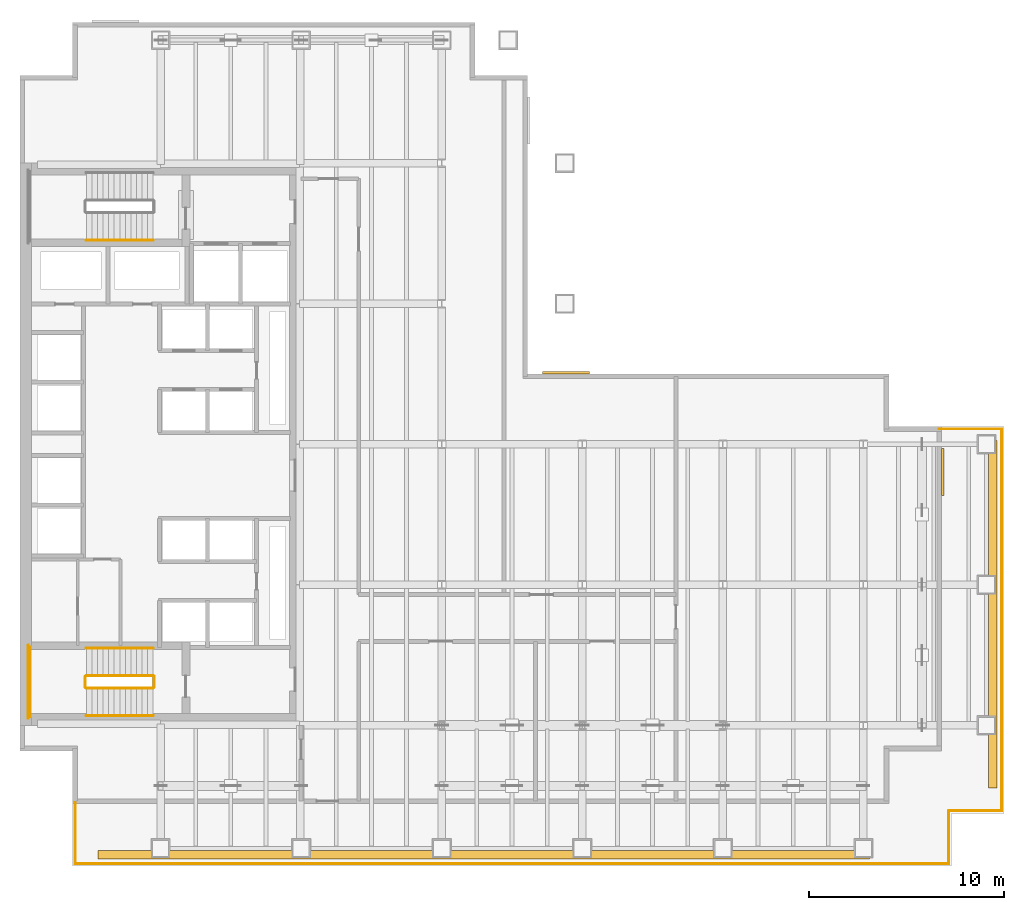
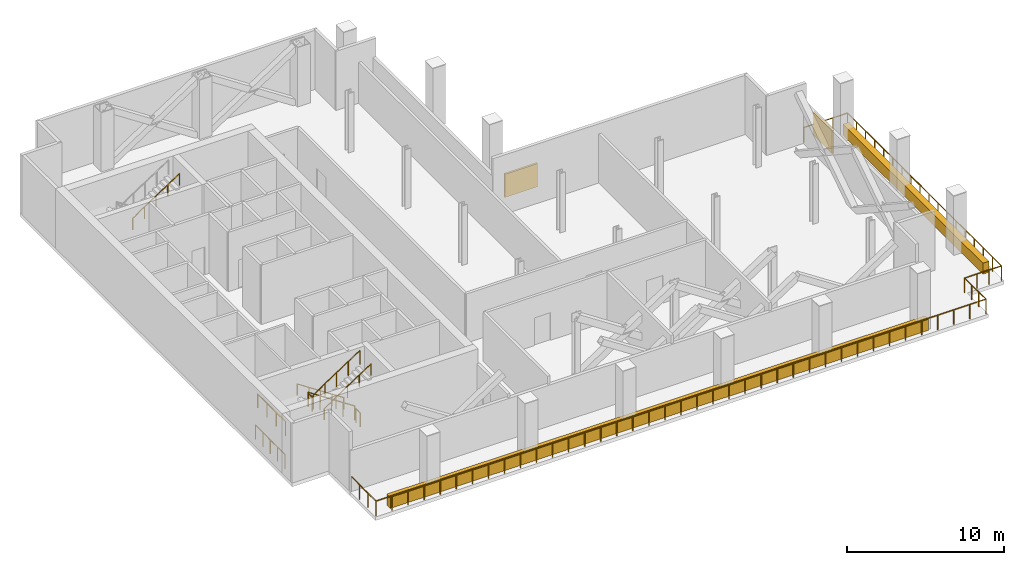
# One storey, part 8 of 9: 15 railings, 2 coverings, 2 shading devices.
"""IFC4 building model written with IfcOpenShell, lengths in metres."""

from ifc_helpers import new_model, si_unit, direction, frame, origin, origin_2d, place, context, subcontext, project, spatial, polyline, circle, outline, extrude, material, layer, layer_set, type_object, element, save


model = new_model("IFC4")

# Units and contexts
model_context = context("Model", 3, precision=1e-05, world=origin(), true_north=direction((0.0, 1.0)))
body_context = subcontext(model_context, "Body", "Model", "MODEL_VIEW")
ifc_project = project(units=[si_unit("LENGTHUNIT", "METRE"), si_unit("AREAUNIT", "SQUARE_METRE"), si_unit("VOLUMEUNIT", "CUBIC_METRE"), si_unit("PLANEANGLEUNIT", "RADIAN"), si_unit("MASSUNIT", "GRAM", prefix="KILO")], contexts=[model_context])

# Site, building, storey
site_placement = place(None, origin())
site = spatial("IfcSite", under=ifc_project, at=site_placement, CompositionType="ELEMENT")
building_placement = place(site_placement, origin())
building = spatial("IfcBuilding", under=site, at=building_placement, Name="Cobrela Telecom Tower", CompositionType="ELEMENT")
storey_placement = place(building_placement, frame((0.0, 0.0, 92.75)))
storey = spatial("IfcBuildingStorey", under=building, at=storey_placement, Name="L23", CompositionType="ELEMENT", Elevation=92.75)

# Coverings
ifc_material_1 = material(Name="Planted Vegetated Landscape Soil and Foliage System")
ifc_layer_1 = layer(ifc_material_1, 0.85009765625)
ifc_layer_set_1 = layer_set([ifc_layer_1], Name="Planted Vegetated Landscape Soil and Foliage System")
covering_type = type_object("IfcCoveringType", Name="PLANTER-BED-850", PredefinedType="USERDEFINED", material=ifc_layer_set_1)
covering_1_placement = place(storey_placement, origin())
element("IfcCovering", 1, at=covering_1_placement, inside=storey, type_object=covering_type, Name="L23 Sky Garden Planted Parapet Bed SG23-S", ObjectType="PLANTER", PredefinedType="USERDEFINED", context=body_context, shape_type="SweptSolid", body=[
    extrude(outline(polyline([(4.0, 0.35009765625), (43.5, 0.35009765625), (43.5, 0.800048828125), (4.0, 0.800048828125), (4.0, 0.35009765625)])), origin(), (0.0, 0.0, 1.0), 0.85009765625),
])
covering_2_placement = place(storey_placement, origin())
element("IfcCovering", 2, at=covering_2_placement, inside=storey, type_object=covering_type, Name="L23 Sky Garden Planted Parapet Bed SG23-E", ObjectType="PLANTER", PredefinedType="USERDEFINED", context=body_context, shape_type="SweptSolid", body=[
    extrude(outline(polyline([(49.60009765625, 4.0), (50.050048828125, 4.0), (50.050048828125, 21.800048828125), (49.60009765625, 21.800048828125), (49.60009765625, 4.0)])), origin(), (0.0, 0.0, 1.0), 0.85009765625),
])

# Railings
ifc_material_2 = material(Name="Anodized Bronze Aluminium 6063-T6", Category="aluminium")
railing_type_1 = type_object("IfcRailingType", Name="RAIL-BAL-1150", PredefinedType="BALUSTRADE", material=ifc_material_2)
railing_1_placement = place(storey_placement, frame((2.820068359375, 3.25, 0.0)))
element("IfcRailing", 3, at=railing_1_placement, inside=storey, type_object=railing_type_1, Name="L23 Outdoor Terrace Perimeter Balustrade SG23-W", PredefinedType="BALUSTRADE", context=body_context, shape_type="SweptSolid", body=[
    extrude(circle(Radius=0.02392578125, at=origin_2d()), frame((0.0, 0.0, 1.1259765625), z_axis=(0.0, -1.0, 0.0), x_axis=(1.0, 0.0, 0.0)), (0.0, 0.0, 1.0), 3.1298828125),
    extrude(circle(Radius=0.02099609375, at=origin_2d()), origin(), (0.0, 0.0, 1.0), 1.101806640625),
    extrude(circle(Radius=0.02099609375, at=origin_2d()), frame((0.0, -1.043212890625, 0.0)), (0.0, 0.0, 1.0), 1.101806640625),
    extrude(circle(Radius=0.02099609375, at=origin_2d()), frame((0.0, -2.086669921875, 0.0)), (0.0, 0.0, 1.0), 1.101806640625),
    extrude(circle(Radius=0.02099609375, at=origin_2d()), frame((0.0, -3.1298828125, 0.0)), (0.0, 0.0, 1.0), 1.101806640625),
])
railing_2_placement = place(storey_placement, frame((2.820068359375, 0.1201171875, 0.0)))
element("IfcRailing", 4, at=railing_2_placement, inside=storey, type_object=railing_type_1, Name="L23 Outdoor Terrace Perimeter Balustrade SG23-S1", PredefinedType="BALUSTRADE", context=body_context, shape_type="SweptSolid", body=[
    extrude(circle(Radius=0.02392578125, at=origin_2d()), frame((0.0, 0.0, 1.1259765625), z_axis=(1.0, 0.0, 0.0), x_axis=(0.0, 1.0, 0.0)), (0.0, 0.0, 1.0), 44.760009765625),
    extrude(circle(Radius=0.02099609375, at=origin_2d()), origin(), (0.0, 0.0, 1.0), 1.101806640625),
    extrude(circle(Radius=0.02099609375, at=origin_2d()), frame((1.177978515625, 0.0, 0.0)), (0.0, 0.0, 1.0), 1.101806640625),
    extrude(circle(Radius=0.02099609375, at=origin_2d()), frame((2.355712890625, 0.0, 0.0)), (0.0, 0.0, 1.0), 1.101806640625),
    extrude(circle(Radius=0.02099609375, at=origin_2d()), frame((3.53369140625, 0.0, 0.0)), (0.0, 0.0, 1.0), 1.101806640625),
    extrude(circle(Radius=0.02099609375, at=origin_2d()), frame((4.711669921875, 0.0, 0.0)), (0.0, 0.0, 1.0), 1.101806640625),
    extrude(circle(Radius=0.02099609375, at=origin_2d()), frame((5.889404296875, 0.0, 0.0)), (0.0, 0.0, 1.0), 1.101806640625),
    extrude(circle(Radius=0.02099609375, at=origin_2d()), frame((7.0673828125, 0.0, 0.0)), (0.0, 0.0, 1.0), 1.101806640625),
    extrude(circle(Radius=0.02099609375, at=origin_2d()), frame((8.245361328125, 0.0, 0.0)), (0.0, 0.0, 1.0), 1.101806640625),
    extrude(circle(Radius=0.02099609375, at=origin_2d()), frame((9.423095703125, 0.0, 0.0)), (0.0, 0.0, 1.0), 1.101806640625),
    extrude(circle(Radius=0.02099609375, at=origin_2d()), frame((10.60107421875, 0.0, 0.0)), (0.0, 0.0, 1.0), 1.101806640625),
    extrude(circle(Radius=0.02099609375, at=origin_2d()), frame((11.779052734375, 0.0, 0.0)), (0.0, 0.0, 1.0), 1.101806640625),
    extrude(circle(Radius=0.02099609375, at=origin_2d()), frame((12.956787109375, 0.0, 0.0)), (0.0, 0.0, 1.0), 1.101806640625),
    extrude(circle(Radius=0.02099609375, at=origin_2d()), frame((14.134765625, 0.0, 0.0)), (0.0, 0.0, 1.0), 1.101806640625),
    extrude(circle(Radius=0.02099609375, at=origin_2d()), frame((15.312744140625, 0.0, 0.0)), (0.0, 0.0, 1.0), 1.101806640625),
    extrude(circle(Radius=0.02099609375, at=origin_2d()), frame((16.490478515625, 0.0, 0.0)), (0.0, 0.0, 1.0), 1.101806640625),
    extrude(circle(Radius=0.02099609375, at=origin_2d()), frame((17.66845703125, 0.0, 0.0)), (0.0, 0.0, 1.0), 1.101806640625),
    extrude(circle(Radius=0.02099609375, at=origin_2d()), frame((18.846435546875, 0.0, 0.0)), (0.0, 0.0, 1.0), 1.101806640625),
    extrude(circle(Radius=0.02099609375, at=origin_2d()), frame((20.024169921875, 0.0, 0.0)), (0.0, 0.0, 1.0), 1.101806640625),
    extrude(circle(Radius=0.02099609375, at=origin_2d()), frame((21.2021484375, 0.0, 0.0)), (0.0, 0.0, 1.0), 1.101806640625),
    extrude(circle(Radius=0.02099609375, at=origin_2d()), frame((22.3798828125, 0.0, 0.0)), (0.0, 0.0, 1.0), 1.101806640625),
    extrude(circle(Radius=0.02099609375, at=origin_2d()), frame((23.557861328125, 0.0, 0.0)), (0.0, 0.0, 1.0), 1.101806640625),
    extrude(circle(Radius=0.02099609375, at=origin_2d()), frame((24.73583984375, 0.0, 0.0)), (0.0, 0.0, 1.0), 1.101806640625),
    extrude(circle(Radius=0.02099609375, at=origin_2d()), frame((25.91357421875, 0.0, 0.0)), (0.0, 0.0, 1.0), 1.101806640625),
    extrude(circle(Radius=0.02099609375, at=origin_2d()), frame((27.091552734375, 0.0, 0.0)), (0.0, 0.0, 1.0), 1.101806640625),
    extrude(circle(Radius=0.02099609375, at=origin_2d()), frame((28.26953125, 0.0, 0.0)), (0.0, 0.0, 1.0), 1.101806640625),
    extrude(circle(Radius=0.02099609375, at=origin_2d()), frame((29.447265625, 0.0, 0.0)), (0.0, 0.0, 1.0), 1.101806640625),
    extrude(circle(Radius=0.02099609375, at=origin_2d()), frame((30.625244140625, 0.0, 0.0)), (0.0, 0.0, 1.0), 1.101806640625),
    extrude(circle(Radius=0.02099609375, at=origin_2d()), frame((31.80322265625, 0.0, 0.0)), (0.0, 0.0, 1.0), 1.101806640625),
    extrude(circle(Radius=0.02099609375, at=origin_2d()), frame((32.98095703125, 0.0, 0.0)), (0.0, 0.0, 1.0), 1.101806640625),
    extrude(circle(Radius=0.02099609375, at=origin_2d()), frame((34.158935546875, 0.0, 0.0)), (0.0, 0.0, 1.0), 1.101806640625),
    extrude(circle(Radius=0.02099609375, at=origin_2d()), frame((35.3369140625, 0.0, 0.0)), (0.0, 0.0, 1.0), 1.101806640625),
    extrude(circle(Radius=0.02099609375, at=origin_2d()), frame((36.5146484375, 0.0, 0.0)), (0.0, 0.0, 1.0), 1.101806640625),
    extrude(circle(Radius=0.02099609375, at=origin_2d()), frame((37.692626953125, 0.0, 0.0)), (0.0, 0.0, 1.0), 1.101806640625),
    extrude(circle(Radius=0.02099609375, at=origin_2d()), frame((38.87060546875, 0.0, 0.0)), (0.0, 0.0, 1.0), 1.101806640625),
    extrude(circle(Radius=0.02099609375, at=origin_2d()), frame((40.04833984375, 0.0, 0.0)), (0.0, 0.0, 1.0), 1.101806640625),
    extrude(circle(Radius=0.02099609375, at=origin_2d()), frame((41.226318359375, 0.0, 0.0)), (0.0, 0.0, 1.0), 1.101806640625),
    extrude(circle(Radius=0.02099609375, at=origin_2d()), frame((42.404296875, 0.0, 0.0)), (0.0, 0.0, 1.0), 1.101806640625),
    extrude(circle(Radius=0.02099609375, at=origin_2d()), frame((43.58203125, 0.0, 0.0)), (0.0, 0.0, 1.0), 1.101806640625),
    extrude(circle(Radius=0.02099609375, at=origin_2d()), frame((44.760009765625, 0.0, 0.0)), (0.0, 0.0, 1.0), 1.101806640625),
])
railing_3_placement = place(storey_placement, frame((47.580078125, 0.1201171875, 0.0)))
element("IfcRailing", 5, at=railing_3_placement, inside=storey, type_object=railing_type_1, Name="L23 Outdoor Terrace Perimeter Balustrade SG23-S2", PredefinedType="BALUSTRADE", context=body_context, shape_type="SweptSolid", body=[
    extrude(circle(Radius=0.02392578125, at=origin_2d()), frame((0.0, 0.0, 1.1259765625), z_axis=(0.0, 1.0, 0.0), x_axis=(-1.0, 0.0, 0.0)), (0.0, 0.0, 1.0), 2.699951171875),
    extrude(circle(Radius=0.02099609375, at=origin_2d()), origin(), (0.0, 0.0, 1.0), 1.101806640625),
    extrude(circle(Radius=0.02099609375, at=origin_2d()), frame((0.0, 0.89990234375, 0.0)), (0.0, 0.0, 1.0), 1.101806640625),
    extrude(circle(Radius=0.02099609375, at=origin_2d()), frame((0.0, 1.800048828125, 0.0)), (0.0, 0.0, 1.0), 1.101806640625),
    extrude(circle(Radius=0.02099609375, at=origin_2d()), frame((0.0, 2.699951171875, 0.0)), (0.0, 0.0, 1.0), 1.101806640625),
])
railing_4_placement = place(storey_placement, frame((47.580078125, 2.820068359375, 0.0)))
element("IfcRailing", 6, at=railing_4_placement, inside=storey, type_object=railing_type_1, Name="L23 Outdoor Terrace Perimeter Balustrade SG23-S3", PredefinedType="BALUSTRADE", context=body_context, shape_type="SweptSolid", body=[
    extrude(circle(Radius=0.02392578125, at=origin_2d()), frame((0.0, 0.0, 1.1259765625), z_axis=(1.0, 0.0, 0.0), x_axis=(0.0, 1.0, 0.0)), (0.0, 0.0, 1.0), 2.699951171875),
    extrude(circle(Radius=0.02099609375, at=origin_2d()), origin(), (0.0, 0.0, 1.0), 1.101806640625),
    extrude(circle(Radius=0.02099609375, at=origin_2d()), frame((0.89990234375, 0.0, 0.0)), (0.0, 0.0, 1.0), 1.101806640625),
    extrude(circle(Radius=0.02099609375, at=origin_2d()), frame((1.800048828125, 0.0, 0.0)), (0.0, 0.0, 1.0), 1.101806640625),
    extrude(circle(Radius=0.02099609375, at=origin_2d()), frame((2.699951171875, 0.0, 0.0)), (0.0, 0.0, 1.0), 1.101806640625),
])
railing_5_placement = place(storey_placement, frame((50.280029296875, 2.820068359375, 0.0)))
element("IfcRailing", 7, at=railing_5_placement, inside=storey, type_object=railing_type_1, Name="L23 Outdoor Terrace Perimeter Balustrade SG23-E", PredefinedType="BALUSTRADE", context=body_context, shape_type="SweptSolid", body=[
    extrude(circle(Radius=0.02392578125, at=origin_2d()), frame((0.0, 0.0, 1.1259765625), z_axis=(0.0, 1.0, 0.0), x_axis=(-1.0, 0.0, 0.0)), (0.0, 0.0, 1.0), 19.559814453125),
    extrude(circle(Radius=0.02099609375, at=origin_2d()), origin(), (0.0, 0.0, 1.0), 1.101806640625),
    extrude(circle(Radius=0.02099609375, at=origin_2d()), frame((0.0, 1.150634765625, 0.0)), (0.0, 0.0, 1.0), 1.101806640625),
    extrude(circle(Radius=0.02099609375, at=origin_2d()), frame((0.0, 2.30126953125, 0.0)), (0.0, 0.0, 1.0), 1.101806640625),
    extrude(circle(Radius=0.02099609375, at=origin_2d()), frame((0.0, 3.45166015625, 0.0)), (0.0, 0.0, 1.0), 1.101806640625),
    extrude(circle(Radius=0.02099609375, at=origin_2d()), frame((0.0, 4.602294921875, 0.0)), (0.0, 0.0, 1.0), 1.101806640625),
    extrude(circle(Radius=0.02099609375, at=origin_2d()), frame((0.0, 5.7529296875, 0.0)), (0.0, 0.0, 1.0), 1.101806640625),
    extrude(circle(Radius=0.02099609375, at=origin_2d()), frame((0.0, 6.903564453125, 0.0)), (0.0, 0.0, 1.0), 1.101806640625),
    extrude(circle(Radius=0.02099609375, at=origin_2d()), frame((0.0, 8.053955078125, 0.0)), (0.0, 0.0, 1.0), 1.101806640625),
    extrude(circle(Radius=0.02099609375, at=origin_2d()), frame((0.0, 9.20458984375, 0.0)), (0.0, 0.0, 1.0), 1.101806640625),
    extrude(circle(Radius=0.02099609375, at=origin_2d()), frame((0.0, 10.355224609375, 0.0)), (0.0, 0.0, 1.0), 1.101806640625),
    extrude(circle(Radius=0.02099609375, at=origin_2d()), frame((0.0, 11.505859375, 0.0)), (0.0, 0.0, 1.0), 1.101806640625),
    extrude(circle(Radius=0.02099609375, at=origin_2d()), frame((0.0, 12.65625, 0.0)), (0.0, 0.0, 1.0), 1.101806640625),
    extrude(circle(Radius=0.02099609375, at=origin_2d()), frame((0.0, 13.806884765625, 0.0)), (0.0, 0.0, 1.0), 1.101806640625),
    extrude(circle(Radius=0.02099609375, at=origin_2d()), frame((0.0, 14.95751953125, 0.0)), (0.0, 0.0, 1.0), 1.101806640625),
    extrude(circle(Radius=0.02099609375, at=origin_2d()), frame((0.0, 16.108154296875, 0.0)), (0.0, 0.0, 1.0), 1.101806640625),
    extrude(circle(Radius=0.02099609375, at=origin_2d()), frame((0.0, 17.258544921875, 0.0)), (0.0, 0.0, 1.0), 1.101806640625),
    extrude(circle(Radius=0.02099609375, at=origin_2d()), frame((0.0, 18.4091796875, 0.0)), (0.0, 0.0, 1.0), 1.101806640625),
    extrude(circle(Radius=0.02099609375, at=origin_2d()), frame((0.0, 19.559814453125, 0.0)), (0.0, 0.0, 1.0), 1.101806640625),
])
railing_6_placement = place(storey_placement, frame((50.280029296875, 22.3798828125, 0.0)))
element("IfcRailing", 8, at=railing_6_placement, inside=storey, type_object=railing_type_1, Name="L23 Outdoor Terrace Perimeter Balustrade SG23-N", PredefinedType="BALUSTRADE", context=body_context, shape_type="SweptSolid", body=[
    extrude(circle(Radius=0.02392578125, at=origin_2d()), frame((0.0, 0.0, 1.1259765625), z_axis=(-1.0, 0.0, 0.0), x_axis=(0.0, -1.0, 0.0)), (0.0, 0.0, 1.0), 3.199951171875),
    extrude(circle(Radius=0.02099609375, at=origin_2d()), origin(), (0.0, 0.0, 1.0), 1.101806640625),
    extrude(circle(Radius=0.02099609375, at=origin_2d()), frame((-1.066650390625, 0.0, 0.0)), (0.0, 0.0, 1.0), 1.101806640625),
    extrude(circle(Radius=0.02099609375, at=origin_2d()), frame((-2.13330078125, 0.0, 0.0)), (0.0, 0.0, 1.0), 1.101806640625),
    extrude(circle(Radius=0.02099609375, at=origin_2d()), frame((-3.199951171875, 0.0, 0.0)), (0.0, 0.0, 1.0), 1.101806640625),
])
ifc_material_3 = material(Name="Steel ASTM A36", Category="steel")
railing_type_2 = type_object("IfcRailingType", Name="RAIL-GUARD-1100", PredefinedType="GUARDRAIL", material=ifc_material_3)
railing_7_placement = place(storey_placement, frame((6.820068359375, 9.75, 0.1884765625)))
element("IfcRailing", 9, at=railing_7_placement, inside=storey, type_object=railing_type_2, Name="L23 ST2 stair guard 1", PredefinedType="GUARDRAIL", context=body_context, shape_type="SweptSolid", body=[
    extrude(circle(Radius=0.02392578125, at=origin_2d()), frame((0.0, 0.0, 1.076171875), z_axis=(-0.83414210066, 0.0, 0.551549595147), x_axis=(0.0, -1.0, 0.0)), (0.0, 0.0, 1.0), 4.100341796875),
    extrude(circle(Radius=0.02099609375, at=origin_2d()), origin(), (0.0, 0.0, 1.0), 1.052001953125),
    extrude(circle(Radius=0.02099609375, at=origin_2d()), frame((-0.85498046875, 0.0, 0.5654296875)), (0.0, 0.0, 1.0), 1.052001953125),
    extrude(circle(Radius=0.02099609375, at=origin_2d()), frame((-1.7099609375, 0.0, 1.130859375)), (0.0, 0.0, 1.0), 1.052001953125),
    extrude(circle(Radius=0.02099609375, at=origin_2d()), frame((-2.565185546875, 0.0, 1.696044921875)), (0.0, 0.0, 1.0), 1.052001953125),
    extrude(circle(Radius=0.02099609375, at=origin_2d()), frame((-3.420166015625, 0.0, 2.261474609375)), (0.0, 0.0, 1.0), 1.052001953125),
])
railing_8_placement = place(storey_placement, frame((3.35009765625, 9.699951171875, 2.449951171875)))
element("IfcRailing", 10, at=railing_8_placement, inside=storey, type_object=railing_type_2, Name="L23 ST2 stair guard 2", PredefinedType="GUARDRAIL", context=body_context, shape_type="SweptSolid", body=[
    extrude(circle(Radius=0.02392578125, at=origin_2d()), frame((0.0, 0.0, 1.076171875), z_axis=(0.0, -1.0, 0.0), x_axis=(1.0, 0.0, 0.0)), (0.0, 0.0, 1.0), 0.550048828125),
    extrude(circle(Radius=0.02099609375, at=origin_2d()), origin(), (0.0, 0.0, 1.0), 1.052001953125),
    extrude(circle(Radius=0.02099609375, at=origin_2d()), frame((0.0, -0.550048828125, 0.0)), (0.0, 0.0, 1.0), 1.052001953125),
])
railing_9_placement = place(storey_placement, frame((0.530029296875, 11.199951171875, 2.449951171875)))
element("IfcRailing", 11, at=railing_9_placement, inside=storey, type_object=railing_type_2, Name="L23 ST2 stair guard 3", PredefinedType="GUARDRAIL", context=body_context, shape_type="SweptSolid", body=[
    extrude(circle(Radius=0.02392578125, at=origin_2d()), frame((0.0, 0.0, 1.076171875), z_axis=(0.0, -1.0, 0.0), x_axis=(1.0, 0.0, 0.0)), (0.0, 0.0, 1.0), 3.550048828125),
    extrude(circle(Radius=0.02099609375, at=origin_2d()), origin(), (0.0, 0.0, 1.0), 1.052001953125),
    extrude(circle(Radius=0.02099609375, at=origin_2d()), frame((0.0, -1.183349609375, 0.0)), (0.0, 0.0, 1.0), 1.052001953125),
    extrude(circle(Radius=0.02099609375, at=origin_2d()), frame((0.0, -2.36669921875, 0.0)), (0.0, 0.0, 1.0), 1.052001953125),
    extrude(circle(Radius=0.02099609375, at=origin_2d()), frame((0.0, -3.550048828125, 0.0)), (0.0, 0.0, 1.0), 1.052001953125),
])
railing_10_placement = place(storey_placement, frame((3.39990234375, 9.10009765625, 2.638427734375)))
element("IfcRailing", 12, at=railing_10_placement, inside=storey, type_object=railing_type_2, Name="L23 ST2 stair guard 4", PredefinedType="GUARDRAIL", context=body_context, shape_type="SweptSolid", body=[
    extrude(circle(Radius=0.02392578125, at=origin_2d()), frame((0.0, 0.0, 1.076171875), z_axis=(0.83414210066, 0.0, 0.551549595147), x_axis=(0.0, 1.0, 0.0)), (0.0, 0.0, 1.0), 4.100341796875),
    extrude(circle(Radius=0.02099609375, at=origin_2d()), origin(), (0.0, 0.0, 1.0), 1.052001953125),
    extrude(circle(Radius=0.02099609375, at=origin_2d()), frame((0.85498046875, 0.0, 0.5654296875)), (0.0, 0.0, 1.0), 1.052001953125),
    extrude(circle(Radius=0.02099609375, at=origin_2d()), frame((1.7099609375, 0.0, 1.130859375)), (0.0, 0.0, 1.0), 1.052001953125),
    extrude(circle(Radius=0.02099609375, at=origin_2d()), frame((2.565185546875, 0.0, 1.696044921875)), (0.0, 0.0, 1.0), 1.052001953125),
    extrude(circle(Radius=0.02099609375, at=origin_2d()), frame((3.420166015625, 0.0, 2.261474609375)), (0.0, 0.0, 1.0), 1.052001953125),
])
railing_11_placement = place(storey_placement, frame((6.8701171875, 9.699951171875, 0.0)))
element("IfcRailing", 13, at=railing_11_placement, inside=storey, type_object=railing_type_2, Name="L23 ST2 stair guard 5", PredefinedType="GUARDRAIL", context=body_context, shape_type="SweptSolid", body=[
    extrude(circle(Radius=0.02392578125, at=origin_2d()), frame((0.0, 0.0, 1.076171875), z_axis=(0.0, -1.0, 0.0), x_axis=(1.0, 0.0, 0.0)), (0.0, 0.0, 1.0), 0.550048828125),
    extrude(circle(Radius=0.02099609375, at=origin_2d()), origin(), (0.0, 0.0, 1.0), 1.052001953125),
    extrude(circle(Radius=0.02099609375, at=origin_2d()), frame((0.0, -0.550048828125, 0.0)), (0.0, 0.0, 1.0), 1.052001953125),
])
railing_12_placement = place(storey_placement, frame((0.429931640625, 11.300048828125, 0.0)))
element("IfcRailing", 14, at=railing_12_placement, inside=storey, type_object=railing_type_2, Name="L23 ST2 stair guard 6", PredefinedType="GUARDRAIL", context=body_context, shape_type="SweptSolid", body=[
    extrude(circle(Radius=0.02392578125, at=origin_2d()), frame((0.0, 0.0, 1.076171875), z_axis=(0.0, -1.0, 0.0), x_axis=(1.0, 0.0, 0.0)), (0.0, 0.0, 1.0), 3.75),
    extrude(circle(Radius=0.02099609375, at=origin_2d()), origin(), (0.0, 0.0, 1.0), 1.052001953125),
    extrude(circle(Radius=0.02099609375, at=origin_2d()), frame((0.0, -0.9375, 0.0)), (0.0, 0.0, 1.0), 1.052001953125),
    extrude(circle(Radius=0.02099609375, at=origin_2d()), frame((0.0, -1.875, 0.0)), (0.0, 0.0, 1.0), 1.052001953125),
    extrude(circle(Radius=0.02099609375, at=origin_2d()), frame((0.0, -2.8125, 0.0)), (0.0, 0.0, 1.0), 1.052001953125),
    extrude(circle(Radius=0.02099609375, at=origin_2d()), frame((0.0, -3.75, 0.0)), (0.0, 0.0, 1.0), 1.052001953125),
])
railing_type_3 = type_object("IfcRailingType", Name="RAIL-HAND-920", PredefinedType="HANDRAIL", material=ifc_material_3)
railing_13_placement = place(storey_placement, frame((3.39990234375, 32.050048828125, 2.638427734375)))
element("IfcRailing", 15, at=railing_13_placement, inside=storey, type_object=railing_type_3, Name="L23 ST1 stair handrail 2", PredefinedType="HANDRAIL", context=body_context, shape_type="SweptSolid", body=[
    extrude(circle(Radius=0.02392578125, at=origin_2d()), frame((0.0, 0.0, 0.8759765625), z_axis=(0.83414210066, 0.0, 0.551549595147), x_axis=(0.0, 1.0, 0.0)), (0.0, 0.0, 1.0), 4.100341796875),
    extrude(circle(Radius=0.02099609375, at=origin_2d()), origin(), (0.0, 0.0, 1.0), 0.851806640625),
    extrude(circle(Radius=0.02099609375, at=origin_2d()), frame((0.85498046875, 0.0, 0.5654296875)), (0.0, 0.0, 1.0), 0.851806640625),
    extrude(circle(Radius=0.02099609375, at=origin_2d()), frame((1.7099609375, 0.0, 1.130859375)), (0.0, 0.0, 1.0), 0.851806640625),
    extrude(circle(Radius=0.02099609375, at=origin_2d()), frame((2.565185546875, 0.0, 1.696044921875)), (0.0, 0.0, 1.0), 0.851806640625),
    extrude(circle(Radius=0.02099609375, at=origin_2d()), frame((3.420166015625, 0.0, 2.261474609375)), (0.0, 0.0, 1.0), 0.851806640625),
])
railing_14_placement = place(storey_placement, frame((6.820068359375, 11.14990234375, 0.1884765625)))
element("IfcRailing", 16, at=railing_14_placement, inside=storey, type_object=railing_type_3, Name="L23 ST2 stair handrail 1", PredefinedType="HANDRAIL", context=body_context, shape_type="SweptSolid", body=[
    extrude(circle(Radius=0.02392578125, at=origin_2d()), frame((0.0, 0.0, 0.8759765625), z_axis=(-0.83414210066, 0.0, 0.551549595147), x_axis=(0.0, -1.0, 0.0)), (0.0, 0.0, 1.0), 4.100341796875),
    extrude(circle(Radius=0.02099609375, at=origin_2d()), origin(), (0.0, 0.0, 1.0), 0.851806640625),
    extrude(circle(Radius=0.02099609375, at=origin_2d()), frame((-0.85498046875, 0.0, 0.5654296875)), (0.0, 0.0, 1.0), 0.851806640625),
    extrude(circle(Radius=0.02099609375, at=origin_2d()), frame((-1.7099609375, 0.0, 1.130859375)), (0.0, 0.0, 1.0), 0.851806640625),
    extrude(circle(Radius=0.02099609375, at=origin_2d()), frame((-2.565185546875, 0.0, 1.696044921875)), (0.0, 0.0, 1.0), 0.851806640625),
    extrude(circle(Radius=0.02099609375, at=origin_2d()), frame((-3.420166015625, 0.0, 2.261474609375)), (0.0, 0.0, 1.0), 0.851806640625),
])
railing_15_placement = place(storey_placement, frame((3.39990234375, 7.699951171875, 2.638427734375)))
element("IfcRailing", 17, at=railing_15_placement, inside=storey, type_object=railing_type_3, Name="L23 ST2 stair handrail 2", PredefinedType="HANDRAIL", context=body_context, shape_type="SweptSolid", body=[
    extrude(circle(Radius=0.02392578125, at=origin_2d()), frame((0.0, 0.0, 0.8759765625), z_axis=(0.83414210066, 0.0, 0.551549595147), x_axis=(0.0, 1.0, 0.0)), (0.0, 0.0, 1.0), 4.100341796875),
    extrude(circle(Radius=0.02099609375, at=origin_2d()), origin(), (0.0, 0.0, 1.0), 0.851806640625),
    extrude(circle(Radius=0.02099609375, at=origin_2d()), frame((0.85498046875, 0.0, 0.5654296875)), (0.0, 0.0, 1.0), 0.851806640625),
    extrude(circle(Radius=0.02099609375, at=origin_2d()), frame((1.7099609375, 0.0, 1.130859375)), (0.0, 0.0, 1.0), 0.851806640625),
    extrude(circle(Radius=0.02099609375, at=origin_2d()), frame((2.565185546875, 0.0, 1.696044921875)), (0.0, 0.0, 1.0), 0.851806640625),
    extrude(circle(Radius=0.02099609375, at=origin_2d()), frame((3.420166015625, 0.0, 2.261474609375)), (0.0, 0.0, 1.0), 0.851806640625),
])

# Shading devices
ifc_layer_2 = layer(ifc_material_2, 0.159912109375)
ifc_layer_set_2 = layer_set([ifc_layer_2], Name="Anodized Bronze Aluminium 6063-T6")
shading_device_type = type_object("IfcShadingDeviceType", Name="SHD-LOUVRE-BRZ", PredefinedType="JALOUSIE", material=ifc_layer_set_2)
shading_device_1_placement = place(storey_placement, frame((0.0, 0.0, 1.10009765625)))
element("IfcShadingDevice", 18, at=shading_device_1_placement, inside=storey, type_object=shading_device_type, Name="L23 Acoustic Bronze Plant Louvre 07", PredefinedType="JALOUSIE", context=body_context, shape_type="SweptSolid", body=[
    extrude(outline(polyline([(26.760009765625, 25.18994140625), (29.159912109375, 25.18994140625), (29.159912109375, 25.330078125), (26.760009765625, 25.330078125), (26.760009765625, 25.18994140625)])), origin(), (0.0, 0.0, 1.0), 1.7998046875),
])
shading_device_2_placement = place(storey_placement, frame((0.0, 0.0, 1.10009765625)))
element("IfcShadingDevice", 19, at=shading_device_2_placement, inside=storey, type_object=shading_device_type, Name="L23 Acoustic Bronze Plant Louvre 08", PredefinedType="JALOUSIE", context=body_context, shape_type="SweptSolid", body=[
    extrude(outline(polyline([(47.18994140625, 21.3798828125), (47.18994140625, 18.97998046875), (47.330078125, 18.97998046875), (47.330078125, 21.3798828125), (47.18994140625, 21.3798828125)])), origin(), (0.0, 0.0, 1.0), 1.7998046875),
])

save(model, "model.ifc")
